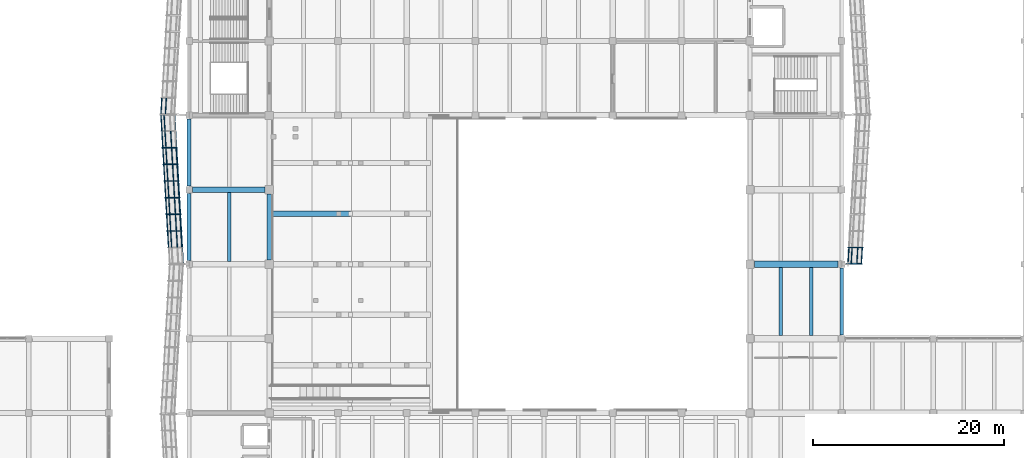
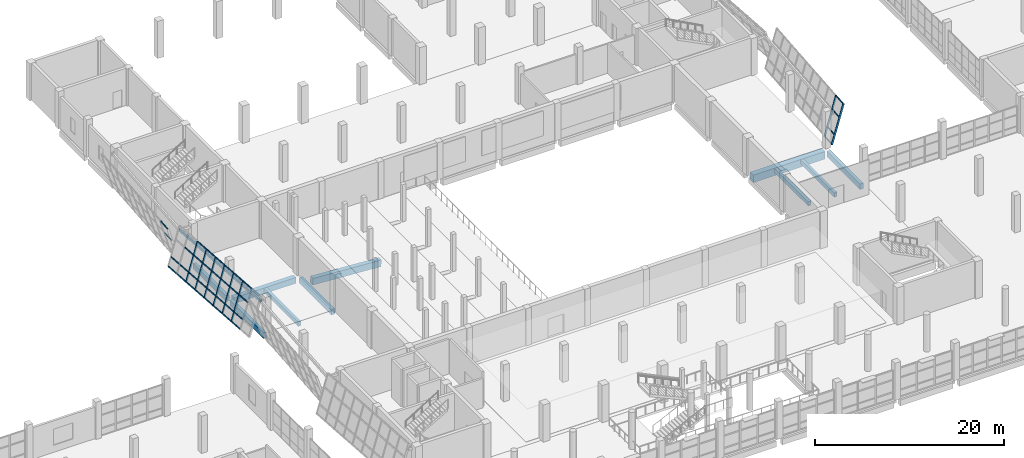
# One storey, part 44 of 91: 43 members, 11 beams, 3 elements without a shape of their own.
"""IFC4 building model written with IfcOpenShell, lengths in metres."""

from ifc_helpers import new_model, si_unit, direction, frame, origin, origin_2d, place, context, subcontext, project, spatial, rectangle, hollow_rectangle, extrude, material, material_profile, profile_set, type_object, element, aggregate, save


model = new_model("IFC4")

# Units and contexts
model_context = context("Model", 3, precision=1e-05, world=origin(), true_north=direction((0.0, 1.0)))
body_context = subcontext(model_context, "Body", "Model", "MODEL_VIEW")
ifc_project = project(units=[si_unit("LENGTHUNIT", "METRE"), si_unit("AREAUNIT", "SQUARE_METRE"), si_unit("VOLUMEUNIT", "CUBIC_METRE"), si_unit("PLANEANGLEUNIT", "RADIAN"), si_unit("MASSUNIT", "GRAM", prefix="KILO")], contexts=[model_context])

# Site, building, storey
site_placement = place(None, origin())
site = spatial("IfcSite", under=ifc_project, at=site_placement, CompositionType="ELEMENT")
building_placement = place(site_placement, origin())
building = spatial("IfcBuilding", under=site, at=building_placement, Name="Pellamere Symphony Hall", CompositionType="ELEMENT")
storey_placement = place(building_placement, frame((0.0, 0.0, 5.39990234375)))
storey = spatial("IfcBuildingStorey", under=building, at=storey_placement, Name="L01", CompositionType="ELEMENT", Elevation=5.39990234375)

# Curtain wall, members
ifc_material_1 = material(Name="Thermally Broken Anodised Aluminium 6063-T6 Curtain Wall", Category="aluminium")
curtain_wall_type = type_object("IfcCurtainWallType", Name="Curtain Wall CW-01 (Tilted Faceted Crystal Low-Iron Curtain Wall)", PredefinedType="NOTDEFINED", material=ifc_material_1)
curtain_wall_1_placement = place(storey_placement, origin())
curtain_wall_1 = element("IfcCurtainWall", 1, at=curtain_wall_1_placement, inside=storey, type_object=curtain_wall_type, Name="Crystal Faceted Curtain Wall CW-CR08 (L01)", PredefinedType="NOTDEFINED")
ifc_material_2 = material(Name="Anodised Architectural Aluminium 6063-T6", Category="aluminium")
ifc_material_profile_1 = material_profile(ifc_material_2, hollow_rectangle(XDim=0.074951171875, YDim=0.219970703125, WallThickness=0.0048828125, at=origin_2d()), Name="ALU-M75X220X5")
ifc_profile_set_1 = profile_set([ifc_material_profile_1], Name="Anodised Architectural Aluminium 6063-T6")
member_type_1 = type_object("IfcMemberType", Name="Curtain Wall Mullion ML-01 ALU-M75X220X5", PredefinedType="MULLION", material=ifc_profile_set_1)
member_1_placement = place(storey_placement, frame((119.4521484375, 61.83740234375, 0.0), z_axis=(0.284021911736, 0.0, 0.9588177896), x_axis=(-0.054873989333, -0.99836096977, 0.016254824977)))
member_1 = element("IfcMember", 2, at=member_1_placement, type_object=member_type_1, Name="CW1-013 crystal mullion 1", PredefinedType="MULLION", context=body_context, shape_type="SweptSolid", body=[
    extrude(hollow_rectangle(XDim=0.074951171875, YDim=0.219970703125, WallThickness=0.0048828125, at=origin_2d()), origin(), (0.0, 0.0, 1.0), 5.006103515625),
])
member_2_placement = place(storey_placement, frame((119.550048828125, 63.54443359375, 0.0), z_axis=(0.283977077304, 0.0, 0.958831069358), x_axis=(-0.054874749346, -0.99836096977, 0.016252259063)))
member_2 = element("IfcMember", 3, at=member_2_placement, type_object=member_type_1, Name="CW1-013 crystal mullion 2", PredefinedType="MULLION", context=body_context, shape_type="SweptSolid", body=[
    extrude(hollow_rectangle(XDim=0.074951171875, YDim=0.219970703125, WallThickness=0.0048828125, at=origin_2d()), origin(), (0.0, 0.0, 1.0), 5.006103515625),
])

curtain_wall_2_placement = place(storey_placement, origin())
curtain_wall_2 = element("IfcCurtainWall", 4, at=curtain_wall_2_placement, inside=storey, type_object=curtain_wall_type, Name="Crystal Faceted Curtain Wall CW-CR16 (L01)", PredefinedType="NOTDEFINED")
member_3_placement = place(storey_placement, frame((47.628173828125, 74.01123046875, 0.0), z_axis=(0.284021911736, 0.0, 0.9588177896), x_axis=(-0.054873989333, 0.99836096977, 0.016254824977)))
member_3 = element("IfcMember", 5, at=member_3_placement, type_object=member_type_1, Name="CW1-043 crystal mullion 3", PredefinedType="MULLION", context=body_context, shape_type="SweptSolid", body=[
    extrude(hollow_rectangle(XDim=0.074951171875, YDim=0.219970703125, WallThickness=0.0048828125, at=origin_2d()), origin(), (0.0, 0.0, 1.0), 5.006103515625),
])
member_4_placement = place(storey_placement, frame((47.728271484375, 72.2666015625, 0.0), z_axis=(0.283977077304, 0.0, 0.958831069358), x_axis=(-0.054874749346, 0.99836096977, 0.016252259063)))
member_4 = element("IfcMember", 6, at=member_4_placement, type_object=member_type_1, Name="CW1-043 crystal mullion 4", PredefinedType="MULLION", context=body_context, shape_type="SweptSolid", body=[
    extrude(hollow_rectangle(XDim=0.074951171875, YDim=0.219970703125, WallThickness=0.0048828125, at=origin_2d()), origin(), (0.0, 0.0, 1.0), 5.006103515625),
])
member_5_placement = place(storey_placement, frame((47.828125, 70.522216796875, 0.0), z_axis=(0.284021911736, 0.0, 0.9588177896), x_axis=(-0.054873989333, 0.99836096977, 0.016254824977)))
member_5 = element("IfcMember", 7, at=member_5_placement, type_object=member_type_1, Name="CW1-043 crystal mullion 5", PredefinedType="MULLION", context=body_context, shape_type="SweptSolid", body=[
    extrude(hollow_rectangle(XDim=0.074951171875, YDim=0.219970703125, WallThickness=0.0048828125, at=origin_2d()), origin(), (0.0, 0.0, 1.0), 5.006103515625),
])
member_6_placement = place(storey_placement, frame((47.92822265625, 68.77783203125, 0.0), z_axis=(0.284021911736, 0.0, 0.9588177896), x_axis=(-0.054873989333, 0.99836096977, 0.016254824977)))
member_6 = element("IfcMember", 8, at=member_6_placement, type_object=member_type_1, Name="CW1-043 crystal mullion 6", PredefinedType="MULLION", context=body_context, shape_type="SweptSolid", body=[
    extrude(hollow_rectangle(XDim=0.074951171875, YDim=0.219970703125, WallThickness=0.0048828125, at=origin_2d()), origin(), (0.0, 0.0, 1.0), 5.006103515625),
])
member_7_placement = place(storey_placement, frame((48.0283203125, 67.033447265625, 0.0), z_axis=(0.283977077304, 0.0, 0.958831069358), x_axis=(-0.054874749346, 0.99836096977, 0.016252259063)))
member_7 = element("IfcMember", 9, at=member_7_placement, type_object=member_type_1, Name="CW1-043 crystal mullion 7", PredefinedType="MULLION", context=body_context, shape_type="SweptSolid", body=[
    extrude(hollow_rectangle(XDim=0.074951171875, YDim=0.219970703125, WallThickness=0.0048828125, at=origin_2d()), origin(), (0.0, 0.0, 1.0), 5.006103515625),
])
member_8_placement = place(storey_placement, frame((48.128173828125, 65.288818359375, 0.0), z_axis=(0.284021911736, 0.0, 0.9588177896), x_axis=(-0.054873989333, 0.99836096977, 0.016254824977)))
member_8 = element("IfcMember", 10, at=member_8_placement, type_object=member_type_1, Name="CW1-043 crystal mullion 8", PredefinedType="MULLION", context=body_context, shape_type="SweptSolid", body=[
    extrude(hollow_rectangle(XDim=0.074951171875, YDim=0.219970703125, WallThickness=0.0048828125, at=origin_2d()), origin(), (0.0, 0.0, 1.0), 5.006103515625),
])

# Member
ifc_material_profile_2 = material_profile(ifc_material_2, hollow_rectangle(XDim=0.074951171875, YDim=0.179931640625, WallThickness=0.0048828125, at=origin_2d()), Name="ALU-T75X180X5")
ifc_profile_set_2 = profile_set([ifc_material_profile_2], Name="Anodised Architectural Aluminium 6063-T6")
member_type_2 = type_object("IfcMemberType", Name="Curtain Wall Transom TR-01 ALU-T75X180X5", PredefinedType="USERDEFINED", material=ifc_profile_set_2)
member_9_placement = place(storey_placement, frame((119.46484375, 61.874755859375, 0.0361328125), z_axis=(0.057338951729, 0.998354768915, 0.0), x_axis=(-0.998354768915, 0.057338951729, 0.0)))
member_9 = element("IfcMember", 11, at=member_9_placement, type_object=member_type_2, Name="CW1-013 crystal transom 1.1", ObjectType="TRANSOM", PredefinedType="USERDEFINED", context=body_context, shape_type="SweptSolid", body=[
    extrude(hollow_rectangle(XDim=0.074951171875, YDim=0.179931640625, WallThickness=0.0048828125, at=origin_2d()), origin(), (0.0, 0.0, 1.0), 1.635009765625),
])

member_10_placement = place(storey_placement, frame((119.79541015625, 61.874755859375, 1.152099609375), z_axis=(0.057338951729, 0.998354768915, 0.0), x_axis=(-0.998354768915, 0.057338951729, 0.0)))
member_10 = element("IfcMember", 12, at=member_10_placement, type_object=member_type_2, Name="CW1-013 crystal transom 1.2", ObjectType="TRANSOM", PredefinedType="USERDEFINED", context=body_context, shape_type="SweptSolid", body=[
    extrude(hollow_rectangle(XDim=0.074951171875, YDim=0.179931640625, WallThickness=0.0048828125, at=origin_2d()), origin(), (0.0, 0.0, 1.0), 1.635009765625),
])

member_11_placement = place(storey_placement, frame((120.392578125, 61.874755859375, 3.168212890625), z_axis=(0.057338951729, 0.998354768915, 0.0), x_axis=(-0.998354768915, 0.057338951729, 0.0)))
member_11 = element("IfcMember", 13, at=member_11_placement, type_object=member_type_2, Name="CW1-013 crystal transom 1.3", ObjectType="TRANSOM", PredefinedType="USERDEFINED", context=body_context, shape_type="SweptSolid", body=[
    extrude(hollow_rectangle(XDim=0.074951171875, YDim=0.179931640625, WallThickness=0.0048828125, at=origin_2d()), origin(), (0.0, 0.0, 1.0), 1.635009765625),
])

member_12_placement = place(storey_placement, frame((120.865478515625, 61.874755859375, 4.76416015625), z_axis=(0.057190120561, 0.998363305671, 0.0), x_axis=(-0.998363305671, 0.057190120561, 0.0)))
member_12 = element("IfcMember", 14, at=member_12_placement, type_object=member_type_2, Name="CW1-013 crystal transom 1.4", ObjectType="TRANSOM", PredefinedType="USERDEFINED", context=body_context, shape_type="SweptSolid", body=[
    extrude(hollow_rectangle(XDim=0.074951171875, YDim=0.179931640625, WallThickness=0.0048828125, at=origin_2d()), origin(), (0.0, 0.0, 1.0), 1.635009765625),
])

aggregate(curtain_wall_1, [member_1, member_2, member_9, member_10, member_11, member_12])

# Curtain wall, members
curtain_wall_3_placement = place(storey_placement, origin())
curtain_wall_3 = element("IfcCurtainWall", 15, at=curtain_wall_3_placement, inside=storey, type_object=curtain_wall_type, Name="Crystal Faceted Curtain Wall CW-CR15 (L01)", PredefinedType="NOTDEFINED")
member_13_placement = place(storey_placement, frame((48.009521484375, 79.19580078125, 3.168212890625), z_axis=(-0.057593652861, -0.998340107954, 0.0), x_axis=(0.998340107954, -0.057593652861, 0.0)))
member_13 = element("IfcMember", 16, at=member_13_placement, type_object=member_type_2, Name="CW1-038 crystal transom 9.3", ObjectType="TRANSOM", PredefinedType="USERDEFINED", context=body_context, shape_type="SweptSolid", body=[
    extrude(hollow_rectangle(XDim=0.074951171875, YDim=0.179931640625, WallThickness=0.0048828125, at=origin_2d()), origin(), (0.0, 0.0, 1.0), 1.62353515625),
])
member_14_placement = place(storey_placement, frame((47.53662109375, 79.19580078125, 4.76416015625), z_axis=(-0.057593652861, -0.998340107954, 0.0), x_axis=(0.998340107954, -0.057593652861, 0.0)))
member_14 = element("IfcMember", 17, at=member_14_placement, type_object=member_type_2, Name="CW1-038 crystal transom 9.4", ObjectType="TRANSOM", PredefinedType="USERDEFINED", context=body_context, shape_type="SweptSolid", body=[
    extrude(hollow_rectangle(XDim=0.074951171875, YDim=0.179931640625, WallThickness=0.0048828125, at=origin_2d()), origin(), (0.0, 0.0, 1.0), 1.62353515625),
])
aggregate(curtain_wall_3, [member_13, member_14])

# Member
member_15_placement = place(storey_placement, frame((47.443115234375, 77.425048828125, 0.0361328125), z_axis=(0.057198647566, -0.998362817175, 0.0), x_axis=(0.998362817175, 0.057198647566, 0.0)))
member_15 = element("IfcMember", 18, at=member_15_placement, type_object=member_type_2, Name="CW1-043 crystal transom 1.1", ObjectType="TRANSOM", PredefinedType="USERDEFINED", context=body_context, shape_type="SweptSolid", body=[
    extrude(hollow_rectangle(XDim=0.074951171875, YDim=0.179931640625, WallThickness=0.0048828125, at=origin_2d()), origin(), (0.0, 0.0, 1.0), 1.634765625),
])

member_16_placement = place(storey_placement, frame((47.773681640625, 77.425048828125, 1.152099609375), z_axis=(0.057198647566, -0.998362817175, 0.0), x_axis=(0.998362817175, 0.057198647566, 0.0)))
member_16 = element("IfcMember", 19, at=member_16_placement, type_object=member_type_2, Name="CW1-043 crystal transom 1.2", ObjectType="TRANSOM", PredefinedType="USERDEFINED", context=body_context, shape_type="SweptSolid", body=[
    extrude(hollow_rectangle(XDim=0.074951171875, YDim=0.179931640625, WallThickness=0.0048828125, at=origin_2d()), origin(), (0.0, 0.0, 1.0), 1.634765625),
])

member_17_placement = place(storey_placement, frame((47.541015625, 75.718017578125, 0.0361328125), z_axis=(0.057232737422, -0.998360863499, 0.0), x_axis=(0.998360863499, 0.057232737422, 0.0)))
member_17 = element("IfcMember", 20, at=member_17_placement, type_object=member_type_2, Name="CW1-043 crystal transom 2.1", ObjectType="TRANSOM", PredefinedType="USERDEFINED", context=body_context, shape_type="SweptSolid", body=[
    extrude(hollow_rectangle(XDim=0.074951171875, YDim=0.179931640625, WallThickness=0.0048828125, at=origin_2d()), origin(), (0.0, 0.0, 1.0), 1.672119140625),
])

member_18_placement = place(storey_placement, frame((47.87158203125, 75.718017578125, 1.152099609375), z_axis=(0.057232737422, -0.998360863499, 0.0), x_axis=(0.998360863499, 0.057232737422, 0.0)))
member_18 = element("IfcMember", 21, at=member_18_placement, type_object=member_type_2, Name="CW1-043 crystal transom 2.2", ObjectType="TRANSOM", PredefinedType="USERDEFINED", context=body_context, shape_type="SweptSolid", body=[
    extrude(hollow_rectangle(XDim=0.074951171875, YDim=0.179931640625, WallThickness=0.0048828125, at=origin_2d()), origin(), (0.0, 0.0, 1.0), 1.672119140625),
])

member_19_placement = place(storey_placement, frame((48.46875, 75.718017578125, 3.168212890625), z_axis=(0.057232737422, -0.998360863499, 0.0), x_axis=(0.998360863499, 0.057232737422, 0.0)))
member_19 = element("IfcMember", 22, at=member_19_placement, type_object=member_type_2, Name="CW1-043 crystal transom 2.3", ObjectType="TRANSOM", PredefinedType="USERDEFINED", context=body_context, shape_type="SweptSolid", body=[
    extrude(hollow_rectangle(XDim=0.074951171875, YDim=0.179931640625, WallThickness=0.0048828125, at=origin_2d()), origin(), (0.0, 0.0, 1.0), 1.672119140625),
])

member_20_placement = place(storey_placement, frame((47.64111328125, 73.9736328125, 0.0361328125), z_axis=(0.057232737422, -0.998360863499, 0.0), x_axis=(0.998360863499, 0.057232737422, 0.0)))
member_20 = element("IfcMember", 23, at=member_20_placement, type_object=member_type_2, Name="CW1-043 crystal transom 3.1", ObjectType="TRANSOM", PredefinedType="USERDEFINED", context=body_context, shape_type="SweptSolid", body=[
    extrude(hollow_rectangle(XDim=0.074951171875, YDim=0.179931640625, WallThickness=0.0048828125, at=origin_2d()), origin(), (0.0, 0.0, 1.0), 1.672119140625),
])

member_21_placement = place(storey_placement, frame((47.9716796875, 73.9736328125, 1.152099609375), z_axis=(0.057232737422, -0.998360863499, 0.0), x_axis=(0.998360863499, 0.057232737422, 0.0)))
member_21 = element("IfcMember", 24, at=member_21_placement, type_object=member_type_2, Name="CW1-043 crystal transom 3.2", ObjectType="TRANSOM", PredefinedType="USERDEFINED", context=body_context, shape_type="SweptSolid", body=[
    extrude(hollow_rectangle(XDim=0.074951171875, YDim=0.179931640625, WallThickness=0.0048828125, at=origin_2d()), origin(), (0.0, 0.0, 1.0), 1.672119140625),
])

member_22_placement = place(storey_placement, frame((48.56884765625, 73.9736328125, 3.168212890625), z_axis=(0.057232737422, -0.998360863499, 0.0), x_axis=(0.998360863499, 0.057232737422, 0.0)))
member_22 = element("IfcMember", 25, at=member_22_placement, type_object=member_type_2, Name="CW1-043 crystal transom 3.3", ObjectType="TRANSOM", PredefinedType="USERDEFINED", context=body_context, shape_type="SweptSolid", body=[
    extrude(hollow_rectangle(XDim=0.074951171875, YDim=0.179931640625, WallThickness=0.0048828125, at=origin_2d()), origin(), (0.0, 0.0, 1.0), 1.672119140625),
])

member_23_placement = place(storey_placement, frame((49.04150390625, 73.9736328125, 4.76416015625), z_axis=(0.057232737422, -0.998360863499, 0.0), x_axis=(0.998360863499, 0.057232737422, 0.0)))
member_23 = element("IfcMember", 26, at=member_23_placement, type_object=member_type_2, Name="CW1-043 crystal transom 3.4", ObjectType="TRANSOM", PredefinedType="USERDEFINED", context=body_context, shape_type="SweptSolid", body=[
    extrude(hollow_rectangle(XDim=0.074951171875, YDim=0.179931640625, WallThickness=0.0048828125, at=origin_2d()), origin(), (0.0, 0.0, 1.0), 1.672119140625),
])

member_24_placement = place(storey_placement, frame((47.740966796875, 72.229248046875, 0.0361328125), z_axis=(0.057224396245, -0.998361341637, 0.0), x_axis=(0.998361341637, 0.057224396245, 0.0)))
member_24 = element("IfcMember", 27, at=member_24_placement, type_object=member_type_2, Name="CW1-043 crystal transom 4.1", ObjectType="TRANSOM", PredefinedType="USERDEFINED", context=body_context, shape_type="SweptSolid", body=[
    extrude(hollow_rectangle(XDim=0.074951171875, YDim=0.179931640625, WallThickness=0.0048828125, at=origin_2d()), origin(), (0.0, 0.0, 1.0), 1.67236328125),
])

member_25_placement = place(storey_placement, frame((48.071533203125, 72.229248046875, 1.152099609375), z_axis=(0.057224396245, -0.998361341637, 0.0), x_axis=(0.998361341637, 0.057224396245, 0.0)))
member_25 = element("IfcMember", 28, at=member_25_placement, type_object=member_type_2, Name="CW1-043 crystal transom 4.2", ObjectType="TRANSOM", PredefinedType="USERDEFINED", context=body_context, shape_type="SweptSolid", body=[
    extrude(hollow_rectangle(XDim=0.074951171875, YDim=0.179931640625, WallThickness=0.0048828125, at=origin_2d()), origin(), (0.0, 0.0, 1.0), 1.67236328125),
])

member_26_placement = place(storey_placement, frame((48.668701171875, 72.229248046875, 3.168212890625), z_axis=(0.057224396245, -0.998361341637, 0.0), x_axis=(0.998361341637, 0.057224396245, 0.0)))
member_26 = element("IfcMember", 29, at=member_26_placement, type_object=member_type_2, Name="CW1-043 crystal transom 4.3", ObjectType="TRANSOM", PredefinedType="USERDEFINED", context=body_context, shape_type="SweptSolid", body=[
    extrude(hollow_rectangle(XDim=0.074951171875, YDim=0.179931640625, WallThickness=0.0048828125, at=origin_2d()), origin(), (0.0, 0.0, 1.0), 1.67236328125),
])

member_27_placement = place(storey_placement, frame((49.1416015625, 72.229248046875, 4.76416015625), z_axis=(0.057224396245, -0.998361341637, 0.0), x_axis=(0.998361341637, 0.057224396245, 0.0)))
member_27 = element("IfcMember", 30, at=member_27_placement, type_object=member_type_2, Name="CW1-043 crystal transom 4.4", ObjectType="TRANSOM", PredefinedType="USERDEFINED", context=body_context, shape_type="SweptSolid", body=[
    extrude(hollow_rectangle(XDim=0.074951171875, YDim=0.179931640625, WallThickness=0.0048828125, at=origin_2d()), origin(), (0.0, 0.0, 1.0), 1.67236328125),
])

member_28_placement = place(storey_placement, frame((47.841064453125, 70.48486328125, 0.0361328125), z_axis=(0.057224396245, -0.998361341637, 0.0), x_axis=(0.998361341637, 0.057224396245, 0.0)))
member_28 = element("IfcMember", 31, at=member_28_placement, type_object=member_type_2, Name="CW1-043 crystal transom 5.1", ObjectType="TRANSOM", PredefinedType="USERDEFINED", context=body_context, shape_type="SweptSolid", body=[
    extrude(hollow_rectangle(XDim=0.074951171875, YDim=0.179931640625, WallThickness=0.0048828125, at=origin_2d()), origin(), (0.0, 0.0, 1.0), 1.67236328125),
])

member_29_placement = place(storey_placement, frame((48.171630859375, 70.48486328125, 1.152099609375), z_axis=(0.057224396245, -0.998361341637, 0.0), x_axis=(0.998361341637, 0.057224396245, 0.0)))
member_29 = element("IfcMember", 32, at=member_29_placement, type_object=member_type_2, Name="CW1-043 crystal transom 5.2", ObjectType="TRANSOM", PredefinedType="USERDEFINED", context=body_context, shape_type="SweptSolid", body=[
    extrude(hollow_rectangle(XDim=0.074951171875, YDim=0.179931640625, WallThickness=0.0048828125, at=origin_2d()), origin(), (0.0, 0.0, 1.0), 1.67236328125),
])

member_30_placement = place(storey_placement, frame((48.768798828125, 70.48486328125, 3.168212890625), z_axis=(0.057224396245, -0.998361341637, 0.0), x_axis=(0.998361341637, 0.057224396245, 0.0)))
member_30 = element("IfcMember", 33, at=member_30_placement, type_object=member_type_2, Name="CW1-043 crystal transom 5.3", ObjectType="TRANSOM", PredefinedType="USERDEFINED", context=body_context, shape_type="SweptSolid", body=[
    extrude(hollow_rectangle(XDim=0.074951171875, YDim=0.179931640625, WallThickness=0.0048828125, at=origin_2d()), origin(), (0.0, 0.0, 1.0), 1.67236328125),
])

member_31_placement = place(storey_placement, frame((49.241455078125, 70.48486328125, 4.76416015625), z_axis=(0.057224396245, -0.998361341637, 0.0), x_axis=(0.998361341637, 0.057224396245, 0.0)))
member_31 = element("IfcMember", 34, at=member_31_placement, type_object=member_type_2, Name="CW1-043 crystal transom 5.4", ObjectType="TRANSOM", PredefinedType="USERDEFINED", context=body_context, shape_type="SweptSolid", body=[
    extrude(hollow_rectangle(XDim=0.074951171875, YDim=0.179931640625, WallThickness=0.0048828125, at=origin_2d()), origin(), (0.0, 0.0, 1.0), 1.67236328125),
])

member_32_placement = place(storey_placement, frame((47.94091796875, 68.740234375, 0.0361328125), z_axis=(0.057232737422, -0.998360863499, 0.0), x_axis=(0.998360863499, 0.057232737422, 0.0)))
member_32 = element("IfcMember", 35, at=member_32_placement, type_object=member_type_2, Name="CW1-043 crystal transom 6.1", ObjectType="TRANSOM", PredefinedType="USERDEFINED", context=body_context, shape_type="SweptSolid", body=[
    extrude(hollow_rectangle(XDim=0.074951171875, YDim=0.179931640625, WallThickness=0.0048828125, at=origin_2d()), origin(), (0.0, 0.0, 1.0), 1.672119140625),
])

member_33_placement = place(storey_placement, frame((48.271484375, 68.740234375, 1.152099609375), z_axis=(0.057232737422, -0.998360863499, 0.0), x_axis=(0.998360863499, 0.057232737422, 0.0)))
member_33 = element("IfcMember", 36, at=member_33_placement, type_object=member_type_2, Name="CW1-043 crystal transom 6.2", ObjectType="TRANSOM", PredefinedType="USERDEFINED", context=body_context, shape_type="SweptSolid", body=[
    extrude(hollow_rectangle(XDim=0.074951171875, YDim=0.179931640625, WallThickness=0.0048828125, at=origin_2d()), origin(), (0.0, 0.0, 1.0), 1.672119140625),
])

member_34_placement = place(storey_placement, frame((48.86865234375, 68.740234375, 3.168212890625), z_axis=(0.057232737422, -0.998360863499, 0.0), x_axis=(0.998360863499, 0.057232737422, 0.0)))
member_34 = element("IfcMember", 37, at=member_34_placement, type_object=member_type_2, Name="CW1-043 crystal transom 6.3", ObjectType="TRANSOM", PredefinedType="USERDEFINED", context=body_context, shape_type="SweptSolid", body=[
    extrude(hollow_rectangle(XDim=0.074951171875, YDim=0.179931640625, WallThickness=0.0048828125, at=origin_2d()), origin(), (0.0, 0.0, 1.0), 1.672119140625),
])

member_35_placement = place(storey_placement, frame((49.341552734375, 68.740234375, 4.76416015625), z_axis=(0.057232737422, -0.998360863499, 0.0), x_axis=(0.998360863499, 0.057232737422, 0.0)))
member_35 = element("IfcMember", 38, at=member_35_placement, type_object=member_type_2, Name="CW1-043 crystal transom 6.4", ObjectType="TRANSOM", PredefinedType="USERDEFINED", context=body_context, shape_type="SweptSolid", body=[
    extrude(hollow_rectangle(XDim=0.074951171875, YDim=0.179931640625, WallThickness=0.0048828125, at=origin_2d()), origin(), (0.0, 0.0, 1.0), 1.672119140625),
])

member_36_placement = place(storey_placement, frame((48.041015625, 66.995849609375, 0.0361328125), z_axis=(0.057232737422, -0.998360863499, 0.0), x_axis=(0.998360863499, 0.057232737422, 0.0)))
member_36 = element("IfcMember", 39, at=member_36_placement, type_object=member_type_2, Name="CW1-043 crystal transom 7.1", ObjectType="TRANSOM", PredefinedType="USERDEFINED", context=body_context, shape_type="SweptSolid", body=[
    extrude(hollow_rectangle(XDim=0.074951171875, YDim=0.179931640625, WallThickness=0.0048828125, at=origin_2d()), origin(), (0.0, 0.0, 1.0), 1.672119140625),
])

member_37_placement = place(storey_placement, frame((48.37158203125, 66.995849609375, 1.152099609375), z_axis=(0.057232737422, -0.998360863499, 0.0), x_axis=(0.998360863499, 0.057232737422, 0.0)))
member_37 = element("IfcMember", 40, at=member_37_placement, type_object=member_type_2, Name="CW1-043 crystal transom 7.2", ObjectType="TRANSOM", PredefinedType="USERDEFINED", context=body_context, shape_type="SweptSolid", body=[
    extrude(hollow_rectangle(XDim=0.074951171875, YDim=0.179931640625, WallThickness=0.0048828125, at=origin_2d()), origin(), (0.0, 0.0, 1.0), 1.672119140625),
])

member_38_placement = place(storey_placement, frame((48.96875, 66.995849609375, 3.168212890625), z_axis=(0.057232737422, -0.998360863499, 0.0), x_axis=(0.998360863499, 0.057232737422, 0.0)))
member_38 = element("IfcMember", 41, at=member_38_placement, type_object=member_type_2, Name="CW1-043 crystal transom 7.3", ObjectType="TRANSOM", PredefinedType="USERDEFINED", context=body_context, shape_type="SweptSolid", body=[
    extrude(hollow_rectangle(XDim=0.074951171875, YDim=0.179931640625, WallThickness=0.0048828125, at=origin_2d()), origin(), (0.0, 0.0, 1.0), 1.672119140625),
])

member_39_placement = place(storey_placement, frame((49.44140625, 66.995849609375, 4.76416015625), z_axis=(0.057232737422, -0.998360863499, 0.0), x_axis=(0.998360863499, 0.057232737422, 0.0)))
member_39 = element("IfcMember", 42, at=member_39_placement, type_object=member_type_2, Name="CW1-043 crystal transom 7.4", ObjectType="TRANSOM", PredefinedType="USERDEFINED", context=body_context, shape_type="SweptSolid", body=[
    extrude(hollow_rectangle(XDim=0.074951171875, YDim=0.179931640625, WallThickness=0.0048828125, at=origin_2d()), origin(), (0.0, 0.0, 1.0), 1.672119140625),
])

member_40_placement = place(storey_placement, frame((48.14111328125, 65.25146484375, 0.0361328125), z_axis=(0.057224396245, -0.998361341637, 0.0), x_axis=(0.998361341637, 0.057224396245, 0.0)))
member_40 = element("IfcMember", 43, at=member_40_placement, type_object=member_type_2, Name="CW1-043 crystal transom 8.1", ObjectType="TRANSOM", PredefinedType="USERDEFINED", context=body_context, shape_type="SweptSolid", body=[
    extrude(hollow_rectangle(XDim=0.074951171875, YDim=0.179931640625, WallThickness=0.0048828125, at=origin_2d()), origin(), (0.0, 0.0, 1.0), 1.67236328125),
])

member_41_placement = place(storey_placement, frame((48.4716796875, 65.25146484375, 1.152099609375), z_axis=(0.057224396245, -0.998361341637, 0.0), x_axis=(0.998361341637, 0.057224396245, 0.0)))
member_41 = element("IfcMember", 44, at=member_41_placement, type_object=member_type_2, Name="CW1-043 crystal transom 8.2", ObjectType="TRANSOM", PredefinedType="USERDEFINED", context=body_context, shape_type="SweptSolid", body=[
    extrude(hollow_rectangle(XDim=0.074951171875, YDim=0.179931640625, WallThickness=0.0048828125, at=origin_2d()), origin(), (0.0, 0.0, 1.0), 1.67236328125),
])

member_42_placement = place(storey_placement, frame((49.06884765625, 65.25146484375, 3.168212890625), z_axis=(0.057224396245, -0.998361341637, 0.0), x_axis=(0.998361341637, 0.057224396245, 0.0)))
member_42 = element("IfcMember", 45, at=member_42_placement, type_object=member_type_2, Name="CW1-043 crystal transom 8.3", ObjectType="TRANSOM", PredefinedType="USERDEFINED", context=body_context, shape_type="SweptSolid", body=[
    extrude(hollow_rectangle(XDim=0.074951171875, YDim=0.179931640625, WallThickness=0.0048828125, at=origin_2d()), origin(), (0.0, 0.0, 1.0), 1.67236328125),
])

member_43_placement = place(storey_placement, frame((49.54150390625, 65.25146484375, 4.76416015625), z_axis=(0.057224396245, -0.998361341637, 0.0), x_axis=(0.998361341637, 0.057224396245, 0.0)))
member_43 = element("IfcMember", 46, at=member_43_placement, type_object=member_type_2, Name="CW1-043 crystal transom 8.4", ObjectType="TRANSOM", PredefinedType="USERDEFINED", context=body_context, shape_type="SweptSolid", body=[
    extrude(hollow_rectangle(XDim=0.074951171875, YDim=0.179931640625, WallThickness=0.0048828125, at=origin_2d()), origin(), (0.0, 0.0, 1.0), 1.67236328125),
])

aggregate(curtain_wall_2, [member_3, member_4, member_5, member_6, member_7, member_8, member_15, member_16, member_17, member_18, member_19, member_20, member_21, member_22, member_23, member_24, member_25, member_26, member_27, member_28, member_29, member_30, member_31, member_32, member_33, member_34, member_35, member_36, member_37, member_38, member_39, member_40, member_41, member_42, member_43])

# Beams
ifc_material_3 = material(Name="Concrete 40 MPa", Category="concrete")
ifc_material_profile_3 = material_profile(ifc_material_3, rectangle(XDim=0.449951171875, YDim=0.64990234375, at=origin_2d()), Name="RC 450x650")
ifc_profile_set_3 = profile_set([ifc_material_profile_3], Name="Concrete 40 MPa")
beam_type_1 = type_object("IfcBeamType", Name="RC CB-08 450x650", PredefinedType="BEAM", material=ifc_profile_set_3)
beam_1_placement = place(storey_placement, frame((58.800048828125, 62.25, -0.60498046875), z_axis=(0.0, 1.0, 0.0), x_axis=(-1.0, 0.0, 0.0)))
element("IfcBeam", 47, at=beam_1_placement, inside=storey, type_object=beam_type_1, Name="Girder CB-08-Y0762 (L01)", PredefinedType="BEAM", context=body_context, shape_type="SweptSolid", body=[
    extrude(rectangle(XDim=0.449951171875, YDim=0.64990234375, at=origin_2d()), origin(), (0.0, 0.0, 1.0), 6.89990234375),
])
ifc_material_4 = material(Name="Concrete 35 MPa", Category="concrete")
ifc_material_profile_4 = material_profile(ifc_material_4, rectangle(XDim=0.35009765625, YDim=0.550048828125, at=origin_2d()), Name="RC 350x550")
ifc_profile_set_4 = profile_set([ifc_material_profile_4], Name="Concrete 35 MPa")
beam_type_2 = type_object("IfcBeamType", Name="RC CB-10 350x550", PredefinedType="BEAM", material=ifc_profile_set_4)
beam_2_placement = place(storey_placement, frame((54.60009765625, 62.080078125, -0.56982421875), z_axis=(0.0, 1.0, 0.0), x_axis=(-1.0, 0.0, 0.0)))
element("IfcBeam", 48, at=beam_2_placement, inside=storey, type_object=beam_type_2, Name="Secondary Floor Beam CB-10-M0608 (L01)", PredefinedType="BEAM", context=body_context, shape_type="SweptSolid", body=[
    extrude(rectangle(XDim=0.35009765625, YDim=0.550048828125, at=origin_2d()), origin(), (0.0, 0.0, 1.0), 7.239990234375),
])
for number, where, z_axis, x_axis, name in (
    (49, (112.39990234375, 54.340087890625, -0.56982421875), (0.0, 1.0, 0.0), (-1.0, 0.0, 0.0), "Secondary Floor Beam CB-10-A1407 (L01)"),
    (50, (115.60009765625, 54.340087890625, -0.56982421875), (0.0, 1.0, 0.0), (-1.0, 0.0, 0.0), "Secondary Floor Beam CB-10-B1407 (L01)"),
):
    element("IfcBeam", number, at=place(storey_placement, frame(where, z_axis=z_axis, x_axis=x_axis)), inside=storey, type_object=beam_type_2, Name=name, PredefinedType="BEAM", context=body_context, shape_type="SweptSolid", body=[
        extrude(rectangle(XDim=0.35009765625, YDim=0.550048828125, at=origin_2d()), origin(), (0.0, 0.0, 1.0), 7.119873046875),
    ])
ifc_material_profile_5 = material_profile(ifc_material_3, rectangle(XDim=0.39990234375, YDim=0.699951171875, at=origin_2d()), Name="RC 400x700")
ifc_profile_set_5 = profile_set([ifc_material_profile_5], Name="Concrete 40 MPa")
beam_type_3 = type_object("IfcBeamType", Name="RC CB-13 400x700", PredefinedType="SPANDREL", material=ifc_profile_set_5)
beam_3_placement = place(storey_placement, frame((50.39990234375, 62.175048828125, -0.6298828125), z_axis=(0.0, 1.0, 0.0), x_axis=(-1.0, 0.0, 0.0)))
element("IfcBeam", 51, at=beam_3_placement, inside=storey, type_object=beam_type_3, Name="Girder CB-13-Y0752 (L01)", PredefinedType="SPANDREL", context=body_context, shape_type="SweptSolid", body=[
    extrude(rectangle(XDim=0.39990234375, YDim=0.699951171875, at=origin_2d()), origin(), (0.0, 0.0, 1.0), 7.050048828125),
])
beam_4_placement = place(storey_placement, frame((50.39990234375, 69.97509765625, -0.6298828125), z_axis=(0.0, 1.0, 0.0), x_axis=(-1.0, 0.0, 0.0)))
element("IfcBeam", 52, at=beam_4_placement, inside=storey, type_object=beam_type_3, Name="Girder CB-13-Y0753 (L01)", PredefinedType="SPANDREL", context=body_context, shape_type="SweptSolid", body=[
    extrude(rectangle(XDim=0.39990234375, YDim=0.699951171875, at=origin_2d()), origin(), (0.0, 0.0, 1.0), 7.0498046875),
])
beam_5_placement = place(storey_placement, frame((118.800048828125, 54.375, -0.6298828125), z_axis=(0.0, 1.0, 0.0), x_axis=(-1.0, 0.0, 0.0)))
element("IfcBeam", 53, at=beam_5_placement, inside=storey, type_object=beam_type_3, Name="Girder CB-13-Y0828 (L01)", PredefinedType="SPANDREL", context=body_context, shape_type="SweptSolid", body=[
    extrude(rectangle(XDim=0.39990234375, YDim=0.699951171875, at=origin_2d()), origin(), (0.0, 0.0, 1.0), 7.050048828125),
])
ifc_material_profile_6 = material_profile(ifc_material_3, rectangle(XDim=0.56005859375, YDim=0.760009765625, at=origin_2d()), Name="RC 560x760")
ifc_profile_set_6 = profile_set([ifc_material_profile_6], Name="Concrete 40 MPa")
beam_type_4 = type_object("IfcBeamType", Name="RC CB-18 560x760", PredefinedType="BEAM", material=ifc_profile_set_6)
beam_6_placement = place(storey_placement, frame((50.77490234375, 69.60009765625, -0.659912109375), z_axis=(1.0, 0.0, 0.0), x_axis=(0.0, 1.0, 0.0)))
element("IfcBeam", 54, at=beam_6_placement, inside=storey, type_object=beam_type_4, Name="Girder CB-18-X0654 (L01)", PredefinedType="BEAM", context=body_context, shape_type="SweptSolid", body=[
    extrude(rectangle(XDim=0.56005859375, YDim=0.760009765625, at=origin_2d()), origin(), (0.0, 0.0, 1.0), 7.5751953125),
])
ifc_material_profile_7 = material_profile(ifc_material_3, rectangle(XDim=0.679931640625, YDim=0.97998046875, at=origin_2d()), Name="RC 680x980")
ifc_profile_set_7 = profile_set([ifc_material_profile_7], Name="Concrete 40 MPa")
beam_type_5 = type_object("IfcBeamType", Name="RC CB-22 680x980", PredefinedType="BEAM", material=ifc_profile_set_7)
beam_7_placement = place(storey_placement, frame((109.64990234375, 61.800048828125, -0.77001953125), z_axis=(1.0, 0.0, 0.0), x_axis=(0.0, 1.0, 0.0)))
element("IfcBeam", 55, at=beam_7_placement, inside=storey, type_object=beam_type_5, Name="Girder CB-22-X0649 (L01)", PredefinedType="BEAM", context=body_context, shape_type="SweptSolid", body=[
    extrude(rectangle(XDim=0.679931640625, YDim=0.97998046875, at=origin_2d()), origin(), (0.0, 0.0, 1.0), 8.775146484375),
])
ifc_material_profile_8 = material_profile(ifc_material_3, rectangle(XDim=0.550048828125, YDim=0.85009765625, at=origin_2d()), Name="RC 550x850")
ifc_profile_set_8 = profile_set([ifc_material_profile_8], Name="Concrete 40 MPa")
beam_type_6 = type_object("IfcBeamType", Name="RC RK-02 550x850", PredefinedType="BEAM", material=ifc_profile_set_8)
beam_8_placement = place(storey_placement, frame((67.31201171875, 67.10009765625, -0.082275390625), z_axis=(-0.998017387032, 0.0, 0.062938820939), x_axis=(0.0, -1.0, 0.0)))
element("IfcBeam", 56, at=beam_8_placement, inside=storey, type_object=beam_type_6, Name="Stand Dress Circle Raker Beam RK-02-034", PredefinedType="BEAM", context=body_context, shape_type="SweptSolid", body=[
    extrude(rectangle(XDim=0.550048828125, YDim=0.85009765625, at=origin_2d()), origin(), (0.0, 0.0, 1.0), 8.378662109375),
])
ifc_material_5 = material(Name="Steel CSA G40.21 350W", Category="steel")
ifc_material_profile_9 = material_profile(ifc_material_5, hollow_rectangle(XDim=0.203125, YDim=0.3046875, WallThickness=0.0126953125, at=origin_2d()), Name="HSS305X203X13")
ifc_profile_set_9 = profile_set([ifc_material_profile_9], Name="Steel CSA G40.21 350W")
beam_type_7 = type_object("IfcBeamType", Name="Steel Spandrel SB-26 HSS305X203X13", PredefinedType="SPANDREL", material=ifc_profile_set_9)
beam_9_placement = place(storey_placement, frame((48.85009765625, 77.5, 4.239990234375), z_axis=(0.057224871396, -0.998361314402, 0.0), x_axis=(0.998361314402, 0.057224871396, 0.0)))
element("IfcBeam", 57, at=beam_9_placement, inside=storey, type_object=beam_type_7, Name="Crystal Perimeter Ring Beam CW-CR16 (L01)", PredefinedType="SPANDREL", context=body_context, shape_type="SweptSolid", body=[
    extrude(hollow_rectangle(XDim=0.203125, YDim=0.3046875, WallThickness=0.0126953125, at=origin_2d()), origin(), (0.0, 0.0, 1.0), 15.725830078125),
])

save(model, "model.ifc")
